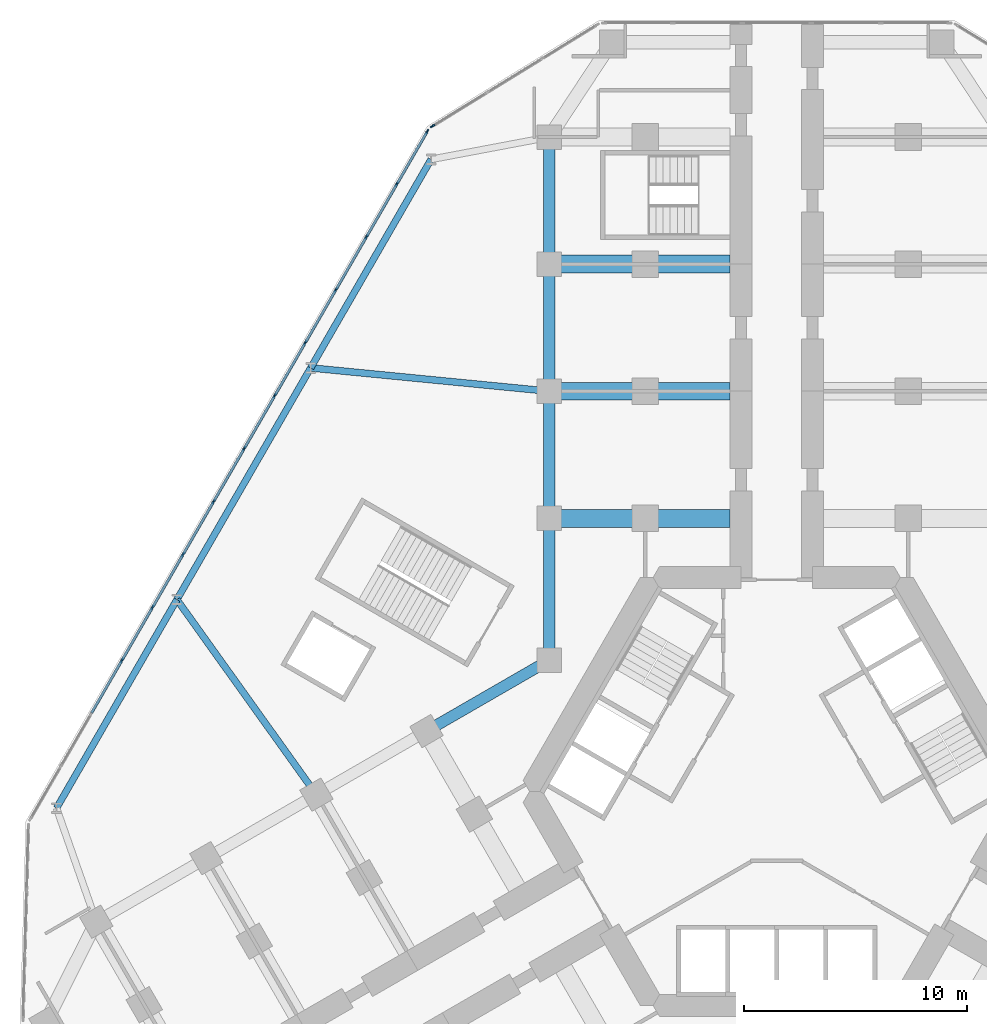
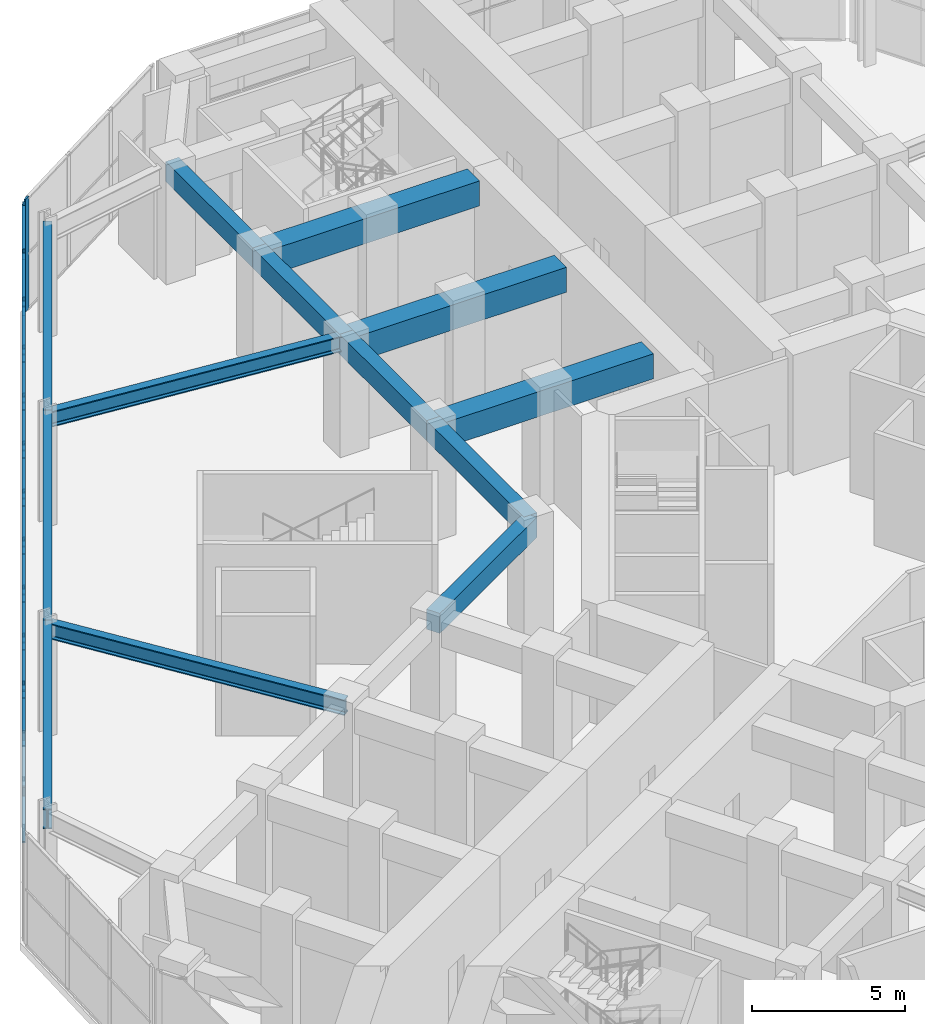
# One storey, part 7 of 21: 45 members, 13 beams, 2 elements without a shape of their own.
"""IFC4 building model written with IfcOpenShell, lengths in metres."""

from ifc_helpers import new_model, si_unit, direction, frame, origin, origin_2d, place, context, subcontext, project, spatial, rectangle, i_section, extrude, material, material_profile, profile_set, type_object, element, aggregate, save


model = new_model("IFC4")

# Units and contexts
model_context = context("Model", 3, precision=1e-05, world=origin(), true_north=direction((0.0, 1.0)))
body_context = subcontext(model_context, "Body", "Model", "MODEL_VIEW")
ifc_project = project(units=[si_unit("LENGTHUNIT", "METRE"), si_unit("AREAUNIT", "SQUARE_METRE"), si_unit("VOLUMEUNIT", "CUBIC_METRE"), si_unit("PLANEANGLEUNIT", "RADIAN"), si_unit("MASSUNIT", "GRAM", prefix="KILO")], contexts=[model_context])

# Site, building, storey
site_placement = place(None, origin())
site = spatial("IfcSite", under=ifc_project, at=site_placement, CompositionType="ELEMENT")
building_placement = place(site_placement, origin())
building = spatial("IfcBuilding", under=site, at=building_placement, Name="Kosmar Iwan School Tower", CompositionType="ELEMENT")
storey_placement = place(building_placement, frame((0.0, 0.0, 6.0)))
storey = spatial("IfcBuildingStorey", under=building, at=storey_placement, Name="L01", CompositionType="ELEMENT", Elevation=6.0)

# Beams
ifc_material_1 = material(Name="Steel S355", Category="steel")
ifc_material_profile_1 = material_profile(ifc_material_1, i_section(OverallWidth=0.300048828125, OverallDepth=0.800048828125, WebThickness=0.017578125, FlangeThickness=0.032958984375, FilletRadius=0.030029296875, at=origin_2d()), Name="HE 800 B")
ifc_profile_set_1 = profile_set([ifc_material_profile_1], Name="Steel S355")
beam_type_1 = type_object("IfcBeamType", Name="Infill edge beam HE 800 B", PredefinedType="BEAM", material=ifc_profile_set_1)
beam_1_placement = place(storey_placement, frame((-32.30224609375, -0.749267578125, 4.10009765625), z_axis=(0.499995103361, 0.866028230842, 0.0), x_axis=(-0.866028230842, 0.499995103361, 0.0)))
element("IfcBeam", 1, at=beam_1_placement, inside=storey, type_object=beam_type_1, Name="Infill edge beam AB2", PredefinedType="BEAM", context=body_context, shape_type="SweptSolid", body=[
    extrude(i_section(OverallWidth=0.300048828125, OverallDepth=0.800048828125, WebThickness=0.017578125, FlangeThickness=0.032958984375, FilletRadius=0.030029296875, at=origin_2d()), origin(), (0.0, 0.0, 1.0), 10.7998046875),
])
beam_2_placement = place(storey_placement, frame((-26.90234375, 8.603759765625, 4.10009765625), z_axis=(0.49999894854, 0.866026010844, 0.0), x_axis=(-0.866026010844, 0.49999894854, 0.0)))
element("IfcBeam", 2, at=beam_2_placement, inside=storey, type_object=beam_type_1, Name="Infill edge beam AB3", PredefinedType="BEAM", context=body_context, shape_type="SweptSolid", body=[
    extrude(i_section(OverallWidth=0.300048828125, OverallDepth=0.800048828125, WebThickness=0.017578125, FlangeThickness=0.032958984375, FilletRadius=0.030029296875, at=origin_2d()), origin(), (0.0, 0.0, 1.0), 12.0),
])
beam_3_placement = place(storey_placement, frame((-20.90234375, 18.99609375, 4.10009765625), z_axis=(0.500012057535, 0.866018442252, 0.0), x_axis=(-0.866018442252, 0.500012057535, 0.0)))
element("IfcBeam", 3, at=beam_3_placement, inside=storey, type_object=beam_type_1, Name="Infill edge beam AB4", PredefinedType="BEAM", context=body_context, shape_type="SweptSolid", body=[
    extrude(i_section(OverallWidth=0.300048828125, OverallDepth=0.800048828125, WebThickness=0.017578125, FlangeThickness=0.032958984375, FilletRadius=0.030029296875, at=origin_2d()), origin(), (0.0, 0.0, 1.0), 10.800048828125),
])
ifc_material_2 = material(Name="Steel S355", Category="steel")
ifc_material_profile_2 = material_profile(ifc_material_2, i_section(OverallWidth=0.304931640625, OverallDepth=0.6201171875, WebThickness=0.02099609375, FlangeThickness=0.0400390625, FilletRadius=0.027099609375, at=origin_2d()), Name="HE 600 M")
ifc_profile_set_2 = profile_set([ifc_material_profile_2], Name="Steel S355")
beam_type_2 = type_object("IfcBeamType", Name="Infill girder HE 600 M", PredefinedType="BEAM", material=ifc_profile_set_2)
beam_4_placement = place(storey_placement, frame((-26.90234375, 8.603759765625, 4.18994140625), z_axis=(0.58187801822, -0.813276073614, 0.0), x_axis=(0.813276073614, 0.58187801822, 0.0)))
element("IfcBeam", 4, at=beam_4_placement, inside=storey, type_object=beam_type_2, Name="Infill girder AB2", PredefinedType="BEAM", context=body_context, shape_type="SweptSolid", body=[
    extrude(i_section(OverallWidth=0.304931640625, OverallDepth=0.6201171875, WebThickness=0.02099609375, FlangeThickness=0.0400390625, FilletRadius=0.027099609375, at=origin_2d()), origin(), (0.0, 0.0, 1.0), 10.753173828125),
])
beam_5_placement = place(storey_placement, frame((-20.90234375, 18.99609375, 4.18994140625), z_axis=(0.995256582335, -0.09728481546, 0.0), x_axis=(0.09728481546, 0.995256582335, 0.0)))
element("IfcBeam", 5, at=beam_5_placement, inside=storey, type_object=beam_type_2, Name="Infill girder AB3", PredefinedType="BEAM", context=body_context, shape_type="SweptSolid", body=[
    extrude(i_section(OverallWidth=0.304931640625, OverallDepth=0.6201171875, WebThickness=0.02099609375, FlangeThickness=0.0400390625, FilletRadius=0.027099609375, at=origin_2d()), origin(), (0.0, 0.0, 1.0), 10.75341796875),
])

# Curtain wall, member
ifc_material_3 = material(Name="Dark glass in black aluminium frame", Category="aluminium")
curtain_wall_type = type_object("IfcCurtainWallType", Name="Podium curtain wall", PredefinedType="USERDEFINED", material=ifc_material_3)
curtain_wall_1_placement = place(storey_placement, origin())
curtain_wall_1 = element("IfcCurtainWall", 6, at=curtain_wall_1_placement, inside=storey, type_object=curtain_wall_type, Name="Curtain wall L01-F07", ObjectType="STICK CURTAIN WALL", PredefinedType="USERDEFINED")
ifc_material_4 = material(Name="Black anodised aluminium", Category="aluminium")
ifc_material_profile_3 = material_profile(ifc_material_4, rectangle(XDim=0.06494140625, YDim=0.219970703125, at=origin_2d()), Name="MULLION 65x220")
ifc_profile_set_3 = profile_set([ifc_material_profile_3], Name="Black anodised aluminium")
member_type_1 = type_object("IfcMemberType", Name="Podium mullion 65x220", PredefinedType="MULLION", material=ifc_profile_set_3)
member_1_placement = place(storey_placement, frame((-15.433837890625, 29.84423828125, 0.0), z_axis=(0.0, 0.0, 1.0), x_axis=(0.524381722801, -0.851483299186, 0.0)))
member_1 = element("IfcMember", 7, at=member_1_placement, type_object=member_type_1, Name="CW3 mullion 4", PredefinedType="MULLION", context=body_context, shape_type="SweptSolid", body=[
    extrude(rectangle(XDim=0.06494140625, YDim=0.219970703125, at=origin_2d()), origin(), (0.0, 0.0, 1.0), 4.5),
])
aggregate(curtain_wall_1, [member_1])

# Curtain wall, members
curtain_wall_2_placement = place(storey_placement, origin())
curtain_wall_2 = element("IfcCurtainWall", 8, at=curtain_wall_2_placement, inside=storey, type_object=curtain_wall_type, Name="Curtain wall L01-F08", ObjectType="STICK CURTAIN WALL", PredefinedType="USERDEFINED")
member_2_placement = place(storey_placement, frame((-15.680419921875, 29.590576171875, 0.0), z_axis=(0.0, 0.0, 1.0), x_axis=(0.866025390869, -0.50000002237, 0.0)))
member_2 = element("IfcMember", 9, at=member_2_placement, type_object=member_type_1, Name="CW3 mullion 1", PredefinedType="MULLION", context=body_context, shape_type="SweptSolid", body=[
    extrude(rectangle(XDim=0.06494140625, YDim=0.219970703125, at=origin_2d()), origin(), (0.0, 0.0, 1.0), 4.5),
])
member_3_placement = place(storey_placement, frame((-17.034912109375, 27.24462890625, 0.0), z_axis=(0.0, 0.0, 1.0), x_axis=(0.866025390869, -0.50000002237, 0.0)))
member_3 = element("IfcMember", 10, at=member_3_placement, type_object=member_type_1, Name="CW3 mullion 2", PredefinedType="MULLION", context=body_context, shape_type="SweptSolid", body=[
    extrude(rectangle(XDim=0.06494140625, YDim=0.219970703125, at=origin_2d()), origin(), (0.0, 0.0, 1.0), 4.5),
])
member_4_placement = place(storey_placement, frame((-18.405517578125, 24.87060546875, 0.0), z_axis=(0.0, 0.0, 1.0), x_axis=(0.866025390869, -0.50000002237, 0.0)))
member_4 = element("IfcMember", 11, at=member_4_placement, type_object=member_type_1, Name="CW3 mullion 3", PredefinedType="MULLION", context=body_context, shape_type="SweptSolid", body=[
    extrude(rectangle(XDim=0.06494140625, YDim=0.219970703125, at=origin_2d()), origin(), (0.0, 0.0, 1.0), 4.5),
])
member_5_placement = place(storey_placement, frame((-19.776123046875, 22.49658203125, 0.0), z_axis=(0.0, 0.0, 1.0), x_axis=(0.866025390869, -0.50000002237, 0.0)))
member_5 = element("IfcMember", 12, at=member_5_placement, type_object=member_type_1, Name="CW3 mullion 4", PredefinedType="MULLION", context=body_context, shape_type="SweptSolid", body=[
    extrude(rectangle(XDim=0.06494140625, YDim=0.219970703125, at=origin_2d()), origin(), (0.0, 0.0, 1.0), 4.5),
])
member_6_placement = place(storey_placement, frame((-21.14697265625, 20.12255859375, 0.0), z_axis=(0.0, 0.0, 1.0), x_axis=(0.866025390869, -0.50000002237, 0.0)))
member_6 = element("IfcMember", 13, at=member_6_placement, type_object=member_type_1, Name="CW3 mullion 5", PredefinedType="MULLION", context=body_context, shape_type="SweptSolid", body=[
    extrude(rectangle(XDim=0.06494140625, YDim=0.219970703125, at=origin_2d()), origin(), (0.0, 0.0, 1.0), 4.5),
])
member_7_placement = place(storey_placement, frame((-22.517578125, 17.74853515625, 0.0), z_axis=(0.0, 0.0, 1.0), x_axis=(0.866025390869, -0.50000002237, 0.0)))
member_7 = element("IfcMember", 14, at=member_7_placement, type_object=member_type_1, Name="CW3 mullion 6", PredefinedType="MULLION", context=body_context, shape_type="SweptSolid", body=[
    extrude(rectangle(XDim=0.06494140625, YDim=0.219970703125, at=origin_2d()), origin(), (0.0, 0.0, 1.0), 4.5),
])
member_8_placement = place(storey_placement, frame((-23.88818359375, 15.37451171875, 0.0), z_axis=(0.0, 0.0, 1.0), x_axis=(0.866025390869, -0.50000002237, 0.0)))
member_8 = element("IfcMember", 15, at=member_8_placement, type_object=member_type_1, Name="CW3 mullion 7", PredefinedType="MULLION", context=body_context, shape_type="SweptSolid", body=[
    extrude(rectangle(XDim=0.06494140625, YDim=0.219970703125, at=origin_2d()), origin(), (0.0, 0.0, 1.0), 4.5),
])
member_9_placement = place(storey_placement, frame((-25.2587890625, 13.00048828125, 0.0), z_axis=(0.0, 0.0, 1.0), x_axis=(0.866025390869, -0.50000002237, 0.0)))
member_9 = element("IfcMember", 16, at=member_9_placement, type_object=member_type_1, Name="CW3 mullion 8", PredefinedType="MULLION", context=body_context, shape_type="SweptSolid", body=[
    extrude(rectangle(XDim=0.06494140625, YDim=0.219970703125, at=origin_2d()), origin(), (0.0, 0.0, 1.0), 4.5),
])
member_10_placement = place(storey_placement, frame((-26.62939453125, 10.62646484375, 0.0), z_axis=(0.0, 0.0, 1.0), x_axis=(0.866025390869, -0.50000002237, 0.0)))
member_10 = element("IfcMember", 17, at=member_10_placement, type_object=member_type_1, Name="CW3 mullion 9", PredefinedType="MULLION", context=body_context, shape_type="SweptSolid", body=[
    extrude(rectangle(XDim=0.06494140625, YDim=0.219970703125, at=origin_2d()), origin(), (0.0, 0.0, 1.0), 4.5),
])
member_11_placement = place(storey_placement, frame((-28.0, 8.25244140625, 0.0), z_axis=(0.0, 0.0, 1.0), x_axis=(0.866025390869, -0.50000002237, 0.0)))
member_11 = element("IfcMember", 18, at=member_11_placement, type_object=member_type_1, Name="CW3 mullion 10", PredefinedType="MULLION", context=body_context, shape_type="SweptSolid", body=[
    extrude(rectangle(XDim=0.06494140625, YDim=0.219970703125, at=origin_2d()), origin(), (0.0, 0.0, 1.0), 4.5),
])
member_12_placement = place(storey_placement, frame((-29.370849609375, 5.87841796875, 0.0), z_axis=(0.0, 0.0, 1.0), x_axis=(0.866025390869, -0.50000002237, 0.0)))
member_12 = element("IfcMember", 19, at=member_12_placement, type_object=member_type_1, Name="CW3 mullion 11", PredefinedType="MULLION", context=body_context, shape_type="SweptSolid", body=[
    extrude(rectangle(XDim=0.06494140625, YDim=0.219970703125, at=origin_2d()), origin(), (0.0, 0.0, 1.0), 4.5),
])

# Beams
ifc_material_5 = material(Name="Concrete C50/60", Category="concrete")
ifc_material_profile_4 = material_profile(ifc_material_5, rectangle(XDim=0.5, YDim=0.800048828125, at=origin_2d()), Name="RC 500x800")
ifc_profile_set_4 = profile_set([ifc_material_profile_4], Name="Concrete C50/60")
beam_type_3 = type_object("IfcBeamType", Name="RC edge beam 500x800", PredefinedType="BEAM", material=ifc_profile_set_4)
beam_6_placement = place(storey_placement, frame((-10.199951171875, 5.888916015625, 4.10009765625), z_axis=(0.0, 1.0, 0.0), x_axis=(-1.0, 0.0, 0.0)))
element("IfcBeam", 20, at=beam_6_placement, inside=storey, type_object=beam_type_3, Name="Edge beam AL1", PredefinedType="BEAM", context=body_context, shape_type="SweptSolid", body=[
    extrude(rectangle(XDim=0.5, YDim=0.800048828125, at=origin_2d()), origin(), (0.0, 0.0, 1.0), 6.361083984375),
])
for number, where, z_axis, x_axis, name in (
    (21, (-10.199951171875, 12.25, 4.10009765625), (0.0, 1.0, 0.0), (-1.0, 0.0, 0.0), "Edge beam AL2"),
    (22, (-10.199951171875, 17.949951171875, 4.10009765625), (0.0, 1.0, 0.0), (-1.0, 0.0, 0.0), "Edge beam AL3"),
):
    element("IfcBeam", number, at=place(storey_placement, frame(where, z_axis=z_axis, x_axis=x_axis)), inside=storey, type_object=beam_type_3, Name=name, PredefinedType="BEAM", context=body_context, shape_type="SweptSolid", body=[
        extrude(rectangle(XDim=0.5, YDim=0.800048828125, at=origin_2d()), origin(), (0.0, 0.0, 1.0), 5.699951171875),
    ])
beam_7_placement = place(storey_placement, frame((-10.199951171875, 23.64990234375, 4.10009765625), z_axis=(0.0, 1.0, 0.0), x_axis=(-1.0, 0.0, 0.0)))
element("IfcBeam", 23, at=beam_7_placement, inside=storey, type_object=beam_type_3, Name="Edge beam AL4", PredefinedType="BEAM", context=body_context, shape_type="SweptSolid", body=[
    extrude(rectangle(XDim=0.5, YDim=0.800048828125, at=origin_2d()), origin(), (0.0, 0.0, 1.0), 5.7001953125),
])
beam_8_placement = place(storey_placement, frame((-10.199951171875, 5.888916015625, 4.10009765625), z_axis=(-0.866030912664, -0.49999045822, 0.0), x_axis=(0.49999045822, -0.866030912664, 0.0)))
element("IfcBeam", 24, at=beam_8_placement, inside=storey, type_object=beam_type_3, Name="Edge beam BR1", PredefinedType="BEAM", context=body_context, shape_type="SweptSolid", body=[
    extrude(rectangle(XDim=0.5, YDim=0.800048828125, at=origin_2d()), origin(), (0.0, 0.0, 1.0), 6.36083984375),
])
ifc_material_6 = material(Name="Concrete C50/60", Category="concrete")
ifc_material_profile_5 = material_profile(ifc_material_6, rectangle(XDim=0.800048828125, YDim=1.0, at=origin_2d()), Name="RC 800x1000")
ifc_profile_set_5 = profile_set([ifc_material_profile_5], Name="Concrete C50/60")
beam_type_4 = type_object("IfcBeamType", Name="RC transverse beam 800x1000", PredefinedType="BEAM", material=ifc_profile_set_5)
for number, where, z_axis, x_axis, name in (
    (25, (-10.199951171875, 12.25, 4.0), (1.0, 0.0, 0.0), (0.0, 1.0, 0.0), "Transverse beam AL1"),
    (26, (-10.199951171875, 17.949951171875, 4.0), (1.0, 0.0, 0.0), (0.0, 1.0, 0.0), "Transverse beam AL2"),
    (27, (-10.199951171875, 23.64990234375, 4.0), (1.0, 0.0, 0.0), (0.0, 1.0, 0.0), "Transverse beam AL3"),
):
    element("IfcBeam", number, at=place(storey_placement, frame(where, z_axis=z_axis, x_axis=x_axis)), inside=storey, type_object=beam_type_4, Name=name, PredefinedType="BEAM", context=body_context, shape_type="SweptSolid", body=[
        extrude(rectangle(XDim=0.800048828125, YDim=1.0, at=origin_2d()), origin(), (0.0, 0.0, 1.0), 8.099853515625),
    ])

# Member
ifc_material_7 = material(Name="Black anodised aluminium", Category="aluminium")
ifc_material_profile_6 = material_profile(ifc_material_7, rectangle(XDim=0.1201171875, YDim=0.06005859375, at=origin_2d()), Name="TRANSOM 60x120")
ifc_profile_set_6 = profile_set([ifc_material_profile_6], Name="Black anodised aluminium")
member_type_2 = type_object("IfcMemberType", Name="Transom 60x120", PredefinedType="USERDEFINED", material=ifc_profile_set_6)
member_13_placement = place(storey_placement, frame((-15.69677734375, 29.5625, 0.030029296875), z_axis=(-0.499932946999, -0.866064113392, 0.0), x_axis=(0.866064113392, -0.499932946999, 0.0)))
member_13 = element("IfcMember", 28, at=member_13_placement, type_object=member_type_2, Name="CW3 transom 1.1", ObjectType="TRANSOM", PredefinedType="USERDEFINED", context=body_context, shape_type="SweptSolid", body=[
    extrude(rectangle(XDim=0.1201171875, YDim=0.06005859375, at=origin_2d()), origin(), (0.0, 0.0, 1.0), 2.643798828125),
])

member_14_placement = place(storey_placement, frame((-15.69677734375, 29.5625, 2.25), z_axis=(-0.499932946999, -0.866064113392, 0.0), x_axis=(0.866064113392, -0.499932946999, 0.0)))
member_14 = element("IfcMember", 29, at=member_14_placement, type_object=member_type_2, Name="CW3 transom 1.2", ObjectType="TRANSOM", PredefinedType="USERDEFINED", context=body_context, shape_type="SweptSolid", body=[
    extrude(rectangle(XDim=0.1201171875, YDim=0.06005859375, at=origin_2d()), origin(), (0.0, 0.0, 1.0), 2.643798828125),
])

member_15_placement = place(storey_placement, frame((-15.69677734375, 29.5625, 4.469970703125), z_axis=(-0.499932946999, -0.866064113392, 0.0), x_axis=(0.866064113392, -0.499932946999, 0.0)))
member_15 = element("IfcMember", 30, at=member_15_placement, type_object=member_type_2, Name="CW3 transom 1.3", ObjectType="TRANSOM", PredefinedType="USERDEFINED", context=body_context, shape_type="SweptSolid", body=[
    extrude(rectangle(XDim=0.1201171875, YDim=0.06005859375, at=origin_2d()), origin(), (0.0, 0.0, 1.0), 2.643798828125),
])

member_16_placement = place(storey_placement, frame((-17.05126953125, 27.216552734375, 0.030029296875), z_axis=(-0.499975134057, -0.866039759667, 0.0), x_axis=(0.866039759667, -0.499975134057, 0.0)))
member_16 = element("IfcMember", 31, at=member_16_placement, type_object=member_type_2, Name="CW3 transom 2.1", ObjectType="TRANSOM", PredefinedType="USERDEFINED", context=body_context, shape_type="SweptSolid", body=[
    extrude(rectangle(XDim=0.1201171875, YDim=0.06005859375, at=origin_2d()), origin(), (0.0, 0.0, 1.0), 2.676513671875),
])

member_17_placement = place(storey_placement, frame((-17.05126953125, 27.216552734375, 2.25), z_axis=(-0.499975134057, -0.866039759667, 0.0), x_axis=(0.866039759667, -0.499975134057, 0.0)))
member_17 = element("IfcMember", 32, at=member_17_placement, type_object=member_type_2, Name="CW3 transom 2.2", ObjectType="TRANSOM", PredefinedType="USERDEFINED", context=body_context, shape_type="SweptSolid", body=[
    extrude(rectangle(XDim=0.1201171875, YDim=0.06005859375, at=origin_2d()), origin(), (0.0, 0.0, 1.0), 2.676513671875),
])

member_18_placement = place(storey_placement, frame((-17.05126953125, 27.216552734375, 4.469970703125), z_axis=(-0.499975134057, -0.866039759667, 0.0), x_axis=(0.866039759667, -0.499975134057, 0.0)))
member_18 = element("IfcMember", 33, at=member_18_placement, type_object=member_type_2, Name="CW3 transom 2.3", ObjectType="TRANSOM", PredefinedType="USERDEFINED", context=body_context, shape_type="SweptSolid", body=[
    extrude(rectangle(XDim=0.1201171875, YDim=0.06005859375, at=origin_2d()), origin(), (0.0, 0.0, 1.0), 2.676513671875),
])

member_19_placement = place(storey_placement, frame((-18.421875, 24.842529296875, 0.030029296875), z_axis=(-0.499975134057, -0.866039759667, 0.0), x_axis=(0.866039759667, -0.499975134057, 0.0)))
member_19 = element("IfcMember", 34, at=member_19_placement, type_object=member_type_2, Name="CW3 transom 3.1", ObjectType="TRANSOM", PredefinedType="USERDEFINED", context=body_context, shape_type="SweptSolid", body=[
    extrude(rectangle(XDim=0.1201171875, YDim=0.06005859375, at=origin_2d()), origin(), (0.0, 0.0, 1.0), 2.676513671875),
])

member_20_placement = place(storey_placement, frame((-18.421875, 24.842529296875, 2.25), z_axis=(-0.499975134057, -0.866039759667, 0.0), x_axis=(0.866039759667, -0.499975134057, 0.0)))
member_20 = element("IfcMember", 35, at=member_20_placement, type_object=member_type_2, Name="CW3 transom 3.2", ObjectType="TRANSOM", PredefinedType="USERDEFINED", context=body_context, shape_type="SweptSolid", body=[
    extrude(rectangle(XDim=0.1201171875, YDim=0.06005859375, at=origin_2d()), origin(), (0.0, 0.0, 1.0), 2.676513671875),
])

member_21_placement = place(storey_placement, frame((-18.421875, 24.842529296875, 4.469970703125), z_axis=(-0.499975134057, -0.866039759667, 0.0), x_axis=(0.866039759667, -0.499975134057, 0.0)))
member_21 = element("IfcMember", 36, at=member_21_placement, type_object=member_type_2, Name="CW3 transom 3.3", ObjectType="TRANSOM", PredefinedType="USERDEFINED", context=body_context, shape_type="SweptSolid", body=[
    extrude(rectangle(XDim=0.1201171875, YDim=0.06005859375, at=origin_2d()), origin(), (0.0, 0.0, 1.0), 2.676513671875),
])

member_22_placement = place(storey_placement, frame((-19.79248046875, 22.468505859375, 0.030029296875), z_axis=(-0.499975134057, -0.866039759667, 0.0), x_axis=(0.866039759667, -0.499975134057, 0.0)))
member_22 = element("IfcMember", 37, at=member_22_placement, type_object=member_type_2, Name="CW3 transom 4.1", ObjectType="TRANSOM", PredefinedType="USERDEFINED", context=body_context, shape_type="SweptSolid", body=[
    extrude(rectangle(XDim=0.1201171875, YDim=0.06005859375, at=origin_2d()), origin(), (0.0, 0.0, 1.0), 2.676513671875),
])

member_23_placement = place(storey_placement, frame((-19.79248046875, 22.468505859375, 2.25), z_axis=(-0.499975134057, -0.866039759667, 0.0), x_axis=(0.866039759667, -0.499975134057, 0.0)))
member_23 = element("IfcMember", 38, at=member_23_placement, type_object=member_type_2, Name="CW3 transom 4.2", ObjectType="TRANSOM", PredefinedType="USERDEFINED", context=body_context, shape_type="SweptSolid", body=[
    extrude(rectangle(XDim=0.1201171875, YDim=0.06005859375, at=origin_2d()), origin(), (0.0, 0.0, 1.0), 2.676513671875),
])

member_24_placement = place(storey_placement, frame((-19.79248046875, 22.468505859375, 4.469970703125), z_axis=(-0.499975134057, -0.866039759667, 0.0), x_axis=(0.866039759667, -0.499975134057, 0.0)))
member_24 = element("IfcMember", 39, at=member_24_placement, type_object=member_type_2, Name="CW3 transom 4.3", ObjectType="TRANSOM", PredefinedType="USERDEFINED", context=body_context, shape_type="SweptSolid", body=[
    extrude(rectangle(XDim=0.1201171875, YDim=0.06005859375, at=origin_2d()), origin(), (0.0, 0.0, 1.0), 2.676513671875),
])

member_25_placement = place(storey_placement, frame((-21.1630859375, 20.094482421875, 0.030029296875), z_axis=(-0.499975134057, -0.866039759667, 0.0), x_axis=(0.866039759667, -0.499975134057, 0.0)))
member_25 = element("IfcMember", 40, at=member_25_placement, type_object=member_type_2, Name="CW3 transom 5.1", ObjectType="TRANSOM", PredefinedType="USERDEFINED", context=body_context, shape_type="SweptSolid", body=[
    extrude(rectangle(XDim=0.1201171875, YDim=0.06005859375, at=origin_2d()), origin(), (0.0, 0.0, 1.0), 2.676513671875),
])

member_26_placement = place(storey_placement, frame((-21.1630859375, 20.094482421875, 2.25), z_axis=(-0.499975134057, -0.866039759667, 0.0), x_axis=(0.866039759667, -0.499975134057, 0.0)))
member_26 = element("IfcMember", 41, at=member_26_placement, type_object=member_type_2, Name="CW3 transom 5.2", ObjectType="TRANSOM", PredefinedType="USERDEFINED", context=body_context, shape_type="SweptSolid", body=[
    extrude(rectangle(XDim=0.1201171875, YDim=0.06005859375, at=origin_2d()), origin(), (0.0, 0.0, 1.0), 2.676513671875),
])

member_27_placement = place(storey_placement, frame((-21.1630859375, 20.094482421875, 4.469970703125), z_axis=(-0.499975134057, -0.866039759667, 0.0), x_axis=(0.866039759667, -0.499975134057, 0.0)))
member_27 = element("IfcMember", 42, at=member_27_placement, type_object=member_type_2, Name="CW3 transom 5.3", ObjectType="TRANSOM", PredefinedType="USERDEFINED", context=body_context, shape_type="SweptSolid", body=[
    extrude(rectangle(XDim=0.1201171875, YDim=0.06005859375, at=origin_2d()), origin(), (0.0, 0.0, 1.0), 2.676513671875),
])

member_28_placement = place(storey_placement, frame((-22.53369140625, 17.720458984375, 0.030029296875), z_axis=(-0.499975134057, -0.866039759667, 0.0), x_axis=(0.866039759667, -0.499975134057, 0.0)))
member_28 = element("IfcMember", 43, at=member_28_placement, type_object=member_type_2, Name="CW3 transom 6.1", ObjectType="TRANSOM", PredefinedType="USERDEFINED", context=body_context, shape_type="SweptSolid", body=[
    extrude(rectangle(XDim=0.1201171875, YDim=0.06005859375, at=origin_2d()), origin(), (0.0, 0.0, 1.0), 2.676513671875),
])

member_29_placement = place(storey_placement, frame((-22.53369140625, 17.720458984375, 2.25), z_axis=(-0.499975134057, -0.866039759667, 0.0), x_axis=(0.866039759667, -0.499975134057, 0.0)))
member_29 = element("IfcMember", 44, at=member_29_placement, type_object=member_type_2, Name="CW3 transom 6.2", ObjectType="TRANSOM", PredefinedType="USERDEFINED", context=body_context, shape_type="SweptSolid", body=[
    extrude(rectangle(XDim=0.1201171875, YDim=0.06005859375, at=origin_2d()), origin(), (0.0, 0.0, 1.0), 2.676513671875),
])

member_30_placement = place(storey_placement, frame((-22.53369140625, 17.720458984375, 4.469970703125), z_axis=(-0.499975134057, -0.866039759667, 0.0), x_axis=(0.866039759667, -0.499975134057, 0.0)))
member_30 = element("IfcMember", 45, at=member_30_placement, type_object=member_type_2, Name="CW3 transom 6.3", ObjectType="TRANSOM", PredefinedType="USERDEFINED", context=body_context, shape_type="SweptSolid", body=[
    extrude(rectangle(XDim=0.1201171875, YDim=0.06005859375, at=origin_2d()), origin(), (0.0, 0.0, 1.0), 2.676513671875),
])

member_31_placement = place(storey_placement, frame((-23.904296875, 15.346435546875, 0.030029296875), z_axis=(-0.499975134057, -0.866039759667, 0.0), x_axis=(0.866039759667, -0.499975134057, 0.0)))
member_31 = element("IfcMember", 46, at=member_31_placement, type_object=member_type_2, Name="CW3 transom 7.1", ObjectType="TRANSOM", PredefinedType="USERDEFINED", context=body_context, shape_type="SweptSolid", body=[
    extrude(rectangle(XDim=0.1201171875, YDim=0.06005859375, at=origin_2d()), origin(), (0.0, 0.0, 1.0), 2.676513671875),
])

member_32_placement = place(storey_placement, frame((-23.904296875, 15.346435546875, 2.25), z_axis=(-0.499975134057, -0.866039759667, 0.0), x_axis=(0.866039759667, -0.499975134057, 0.0)))
member_32 = element("IfcMember", 47, at=member_32_placement, type_object=member_type_2, Name="CW3 transom 7.2", ObjectType="TRANSOM", PredefinedType="USERDEFINED", context=body_context, shape_type="SweptSolid", body=[
    extrude(rectangle(XDim=0.1201171875, YDim=0.06005859375, at=origin_2d()), origin(), (0.0, 0.0, 1.0), 2.676513671875),
])

member_33_placement = place(storey_placement, frame((-23.904296875, 15.346435546875, 4.469970703125), z_axis=(-0.499975134057, -0.866039759667, 0.0), x_axis=(0.866039759667, -0.499975134057, 0.0)))
member_33 = element("IfcMember", 48, at=member_33_placement, type_object=member_type_2, Name="CW3 transom 7.3", ObjectType="TRANSOM", PredefinedType="USERDEFINED", context=body_context, shape_type="SweptSolid", body=[
    extrude(rectangle(XDim=0.1201171875, YDim=0.06005859375, at=origin_2d()), origin(), (0.0, 0.0, 1.0), 2.676513671875),
])

member_34_placement = place(storey_placement, frame((-25.275146484375, 12.972412109375, 0.030029296875), z_axis=(-0.499975134057, -0.866039759667, 0.0), x_axis=(0.866039759667, -0.499975134057, 0.0)))
member_34 = element("IfcMember", 49, at=member_34_placement, type_object=member_type_2, Name="CW3 transom 8.1", ObjectType="TRANSOM", PredefinedType="USERDEFINED", context=body_context, shape_type="SweptSolid", body=[
    extrude(rectangle(XDim=0.1201171875, YDim=0.06005859375, at=origin_2d()), origin(), (0.0, 0.0, 1.0), 2.676513671875),
])

member_35_placement = place(storey_placement, frame((-25.275146484375, 12.972412109375, 2.25), z_axis=(-0.499975134057, -0.866039759667, 0.0), x_axis=(0.866039759667, -0.499975134057, 0.0)))
member_35 = element("IfcMember", 50, at=member_35_placement, type_object=member_type_2, Name="CW3 transom 8.2", ObjectType="TRANSOM", PredefinedType="USERDEFINED", context=body_context, shape_type="SweptSolid", body=[
    extrude(rectangle(XDim=0.1201171875, YDim=0.06005859375, at=origin_2d()), origin(), (0.0, 0.0, 1.0), 2.676513671875),
])

member_36_placement = place(storey_placement, frame((-25.275146484375, 12.972412109375, 4.469970703125), z_axis=(-0.499975134057, -0.866039759667, 0.0), x_axis=(0.866039759667, -0.499975134057, 0.0)))
member_36 = element("IfcMember", 51, at=member_36_placement, type_object=member_type_2, Name="CW3 transom 8.3", ObjectType="TRANSOM", PredefinedType="USERDEFINED", context=body_context, shape_type="SweptSolid", body=[
    extrude(rectangle(XDim=0.1201171875, YDim=0.06005859375, at=origin_2d()), origin(), (0.0, 0.0, 1.0), 2.676513671875),
])

member_37_placement = place(storey_placement, frame((-26.645751953125, 10.598388671875, 0.030029296875), z_axis=(-0.499975134057, -0.866039759667, 0.0), x_axis=(0.866039759667, -0.499975134057, 0.0)))
member_37 = element("IfcMember", 52, at=member_37_placement, type_object=member_type_2, Name="CW3 transom 9.1", ObjectType="TRANSOM", PredefinedType="USERDEFINED", context=body_context, shape_type="SweptSolid", body=[
    extrude(rectangle(XDim=0.1201171875, YDim=0.06005859375, at=origin_2d()), origin(), (0.0, 0.0, 1.0), 2.676513671875),
])

member_38_placement = place(storey_placement, frame((-26.645751953125, 10.598388671875, 2.25), z_axis=(-0.499975134057, -0.866039759667, 0.0), x_axis=(0.866039759667, -0.499975134057, 0.0)))
member_38 = element("IfcMember", 53, at=member_38_placement, type_object=member_type_2, Name="CW3 transom 9.2", ObjectType="TRANSOM", PredefinedType="USERDEFINED", context=body_context, shape_type="SweptSolid", body=[
    extrude(rectangle(XDim=0.1201171875, YDim=0.06005859375, at=origin_2d()), origin(), (0.0, 0.0, 1.0), 2.676513671875),
])

member_39_placement = place(storey_placement, frame((-26.645751953125, 10.598388671875, 4.469970703125), z_axis=(-0.499975134057, -0.866039759667, 0.0), x_axis=(0.866039759667, -0.499975134057, 0.0)))
member_39 = element("IfcMember", 54, at=member_39_placement, type_object=member_type_2, Name="CW3 transom 9.3", ObjectType="TRANSOM", PredefinedType="USERDEFINED", context=body_context, shape_type="SweptSolid", body=[
    extrude(rectangle(XDim=0.1201171875, YDim=0.06005859375, at=origin_2d()), origin(), (0.0, 0.0, 1.0), 2.676513671875),
])

member_40_placement = place(storey_placement, frame((-28.016357421875, 8.224365234375, 0.030029296875), z_axis=(-0.499975134057, -0.866039759667, 0.0), x_axis=(0.866039759667, -0.499975134057, 0.0)))
member_40 = element("IfcMember", 55, at=member_40_placement, type_object=member_type_2, Name="CW3 transom 10.1", ObjectType="TRANSOM", PredefinedType="USERDEFINED", context=body_context, shape_type="SweptSolid", body=[
    extrude(rectangle(XDim=0.1201171875, YDim=0.06005859375, at=origin_2d()), origin(), (0.0, 0.0, 1.0), 2.676513671875),
])

member_41_placement = place(storey_placement, frame((-28.016357421875, 8.224365234375, 2.25), z_axis=(-0.499975134057, -0.866039759667, 0.0), x_axis=(0.866039759667, -0.499975134057, 0.0)))
member_41 = element("IfcMember", 56, at=member_41_placement, type_object=member_type_2, Name="CW3 transom 10.2", ObjectType="TRANSOM", PredefinedType="USERDEFINED", context=body_context, shape_type="SweptSolid", body=[
    extrude(rectangle(XDim=0.1201171875, YDim=0.06005859375, at=origin_2d()), origin(), (0.0, 0.0, 1.0), 2.676513671875),
])

member_42_placement = place(storey_placement, frame((-28.016357421875, 8.224365234375, 4.469970703125), z_axis=(-0.499975134057, -0.866039759667, 0.0), x_axis=(0.866039759667, -0.499975134057, 0.0)))
member_42 = element("IfcMember", 57, at=member_42_placement, type_object=member_type_2, Name="CW3 transom 10.3", ObjectType="TRANSOM", PredefinedType="USERDEFINED", context=body_context, shape_type="SweptSolid", body=[
    extrude(rectangle(XDim=0.1201171875, YDim=0.06005859375, at=origin_2d()), origin(), (0.0, 0.0, 1.0), 2.676513671875),
])

member_43_placement = place(storey_placement, frame((-29.386962890625, 5.850341796875, 0.030029296875), z_axis=(-0.499975134057, -0.866039759667, 0.0), x_axis=(0.866039759667, -0.499975134057, 0.0)))
member_43 = element("IfcMember", 58, at=member_43_placement, type_object=member_type_2, Name="CW3 transom 11.1", ObjectType="TRANSOM", PredefinedType="USERDEFINED", context=body_context, shape_type="SweptSolid", body=[
    extrude(rectangle(XDim=0.1201171875, YDim=0.06005859375, at=origin_2d()), origin(), (0.0, 0.0, 1.0), 2.676513671875),
])

member_44_placement = place(storey_placement, frame((-29.386962890625, 5.850341796875, 2.25), z_axis=(-0.499975134057, -0.866039759667, 0.0), x_axis=(0.866039759667, -0.499975134057, 0.0)))
member_44 = element("IfcMember", 59, at=member_44_placement, type_object=member_type_2, Name="CW3 transom 11.2", ObjectType="TRANSOM", PredefinedType="USERDEFINED", context=body_context, shape_type="SweptSolid", body=[
    extrude(rectangle(XDim=0.1201171875, YDim=0.06005859375, at=origin_2d()), origin(), (0.0, 0.0, 1.0), 2.676513671875),
])

member_45_placement = place(storey_placement, frame((-29.386962890625, 5.850341796875, 4.469970703125), z_axis=(-0.499975134057, -0.866039759667, 0.0), x_axis=(0.866039759667, -0.499975134057, 0.0)))
member_45 = element("IfcMember", 60, at=member_45_placement, type_object=member_type_2, Name="CW3 transom 11.3", ObjectType="TRANSOM", PredefinedType="USERDEFINED", context=body_context, shape_type="SweptSolid", body=[
    extrude(rectangle(XDim=0.1201171875, YDim=0.06005859375, at=origin_2d()), origin(), (0.0, 0.0, 1.0), 2.676513671875),
])

aggregate(curtain_wall_2, [member_2, member_3, member_4, member_5, member_6, member_7, member_8, member_9, member_10, member_11, member_12, member_13, member_14, member_15, member_16, member_17, member_18, member_19, member_20, member_21, member_22, member_23, member_24, member_25, member_26, member_27, member_28, member_29, member_30, member_31, member_32, member_33, member_34, member_35, member_36, member_37, member_38, member_39, member_40, member_41, member_42, member_43, member_44, member_45])

save(model, "model.ifc")
